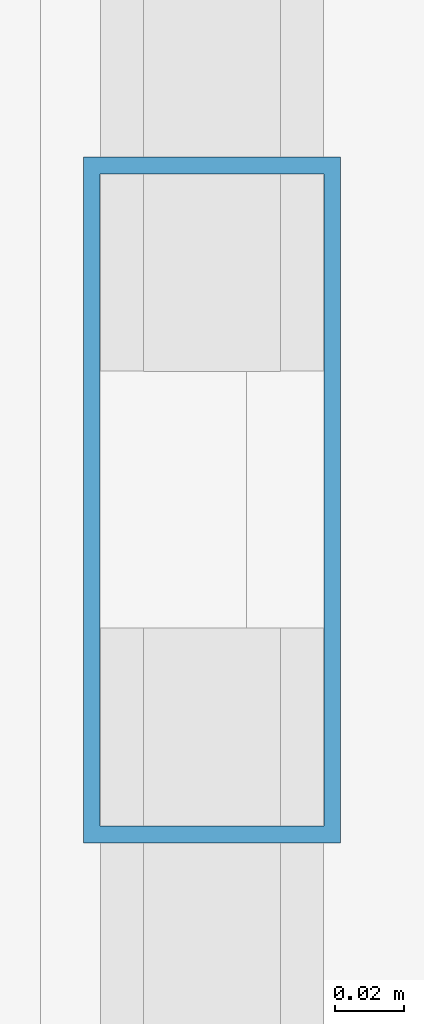
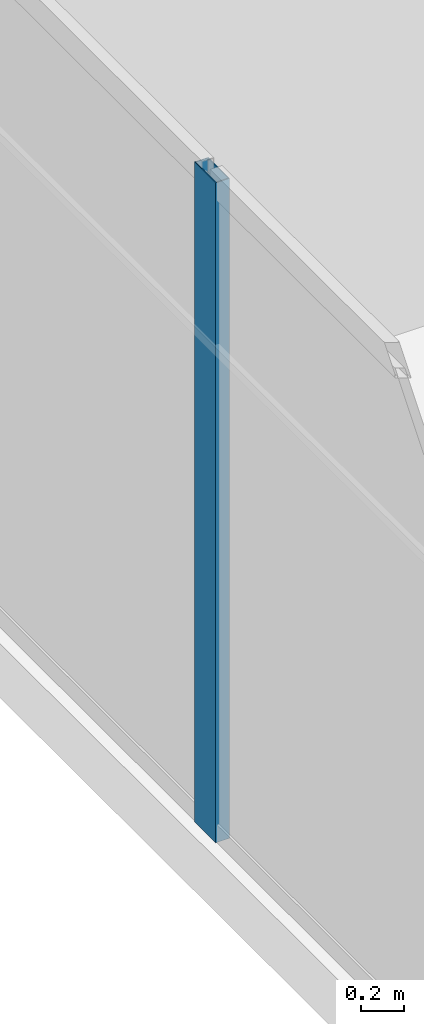
# One storey, part 8 of 33: 1 member, 1 element without a shape of its own.
"""IFC4 building model written with IfcOpenShell, lengths in metres."""

from ifc_helpers import new_model, si_unit, direction, frame, origin, origin_2d, place, context, subcontext, project, spatial, hollow_rectangle, extrude, source, transform, mapped, material, layer, layer_set, material_profile, profile_set, type_object, type_shapes, element, aggregate, save


model = new_model("IFC4")

# Units and contexts
model_context = context("Model", 3, precision=1e-05, world=origin(), true_north=direction((0.0, 1.0)))
body_context = subcontext(model_context, "Body", "Model", "MODEL_VIEW")
ifc_project = project(units=[si_unit("LENGTHUNIT", "METRE"), si_unit("AREAUNIT", "SQUARE_METRE"), si_unit("VOLUMEUNIT", "CUBIC_METRE"), si_unit("PLANEANGLEUNIT", "RADIAN"), si_unit("MASSUNIT", "GRAM", prefix="KILO")], contexts=[model_context])

# Site, building, storey
site_placement = place(None, origin())
site = spatial("IfcSite", under=ifc_project, at=site_placement, CompositionType="ELEMENT")
building_placement = place(site_placement, origin())
building = spatial("IfcBuilding", under=site, at=building_placement, Name="Haelvirn Gate Laboratories", CompositionType="ELEMENT")
storey_placement = place(building_placement, frame((0.0, 0.0, 137.89990234375)))
storey = spatial("IfcBuildingStorey", under=building, at=storey_placement, Name="L33", CompositionType="ELEMENT", Elevation=137.89990234375)

# Curtain wall, member
ifc_material_1 = material(Name="Anodised bronze unitised aluminium & triple low-E glass", Category="aluminium")
ifc_layer = layer(ifc_material_1, 0.179931640625, Name="CW-SYS-3")
ifc_layer_set = layer_set([ifc_layer], Name="Anodised bronze unitised aluminium & triple low-E glass")
curtain_wall_type = type_object("IfcCurtainWallType", Name="CW-SYS-3", PredefinedType="NOTDEFINED", material=ifc_layer_set)
curtain_wall_placement = place(storey_placement, origin())
curtain_wall = element("IfcCurtainWall", 1, at=curtain_wall_placement, inside=storey, type_object=curtain_wall_type, Name="L33 Unitised Curtain Wall CW-L33-P0-E17", PredefinedType="NOTDEFINED")
ifc_material_2 = material(Name="Extruded aluminium 6063-T6 (anodised bronze)", Category="aluminium")
ifc_material_profile = material_profile(ifc_material_2, hollow_rectangle(XDim=0.074951171875, YDim=0.199951171875, WallThickness=0.0048828125, at=origin_2d()), Name="CWM-200x75x5")
ifc_profile_set = profile_set([ifc_material_profile], Name="Extruded aluminium 6063-T6 (anodised bronze)")
member_type = type_object("IfcMemberType", Name="CWM-T200", PredefinedType="MULLION", material=ifc_profile_set)
shared_shape = source(origin(), body_context, "Body", "SweptSolid", [
    extrude(hollow_rectangle(XDim=0.074951171875, YDim=0.199951171875, WallThickness=0.0048828125, at=origin_2d()), origin(), (0.0, 0.0, 1.0), 3.7900390625),
])
type_shapes(member_type, [shared_shape])
member_placement = place(storey_placement, frame((2.10009765625, 30.966552734375, 0.0), z_axis=(0.0, 0.0, 1.0), x_axis=(1.0, 0.0, 0.0)))
member = element("IfcMember", 2, at=member_placement, type_object=member_type, Name="CW3 mullion 2", PredefinedType="MULLION", context=body_context, shape_type="MappedRepresentation", body=[
    mapped(shared_shape, transform((0.0, 0.0, 0.0), scale=1.0)),
])
aggregate(curtain_wall, [member])

save(model, "model.ifc")
